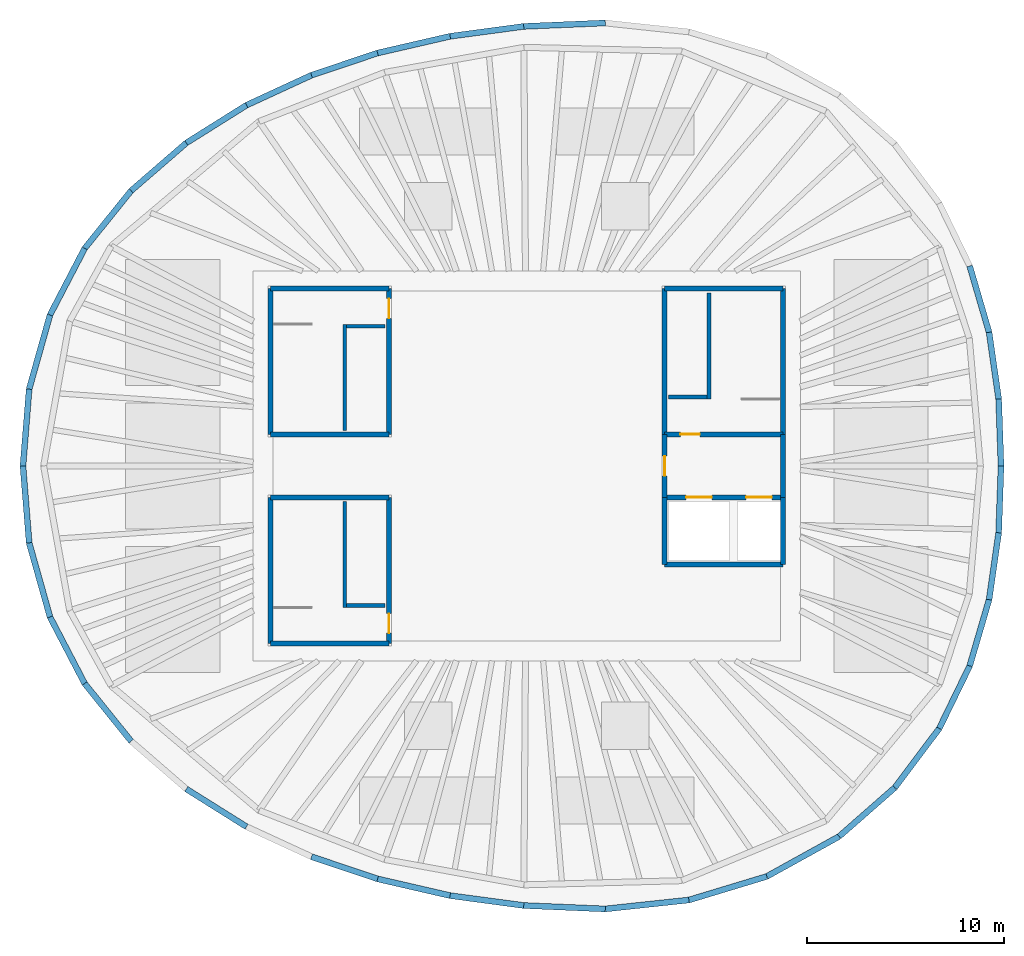
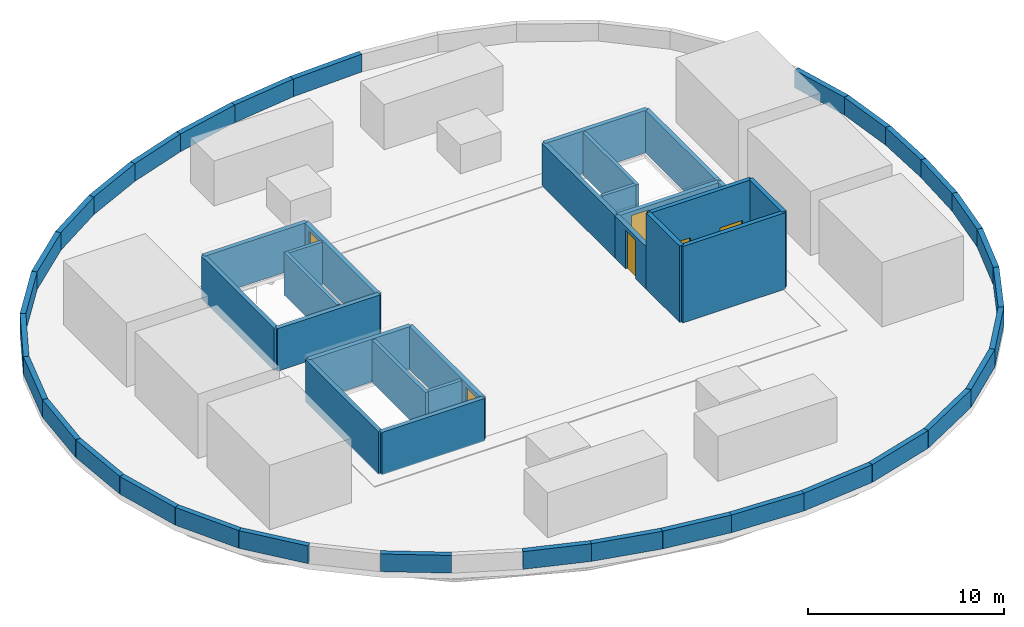
# One storey, part 3 of 6: 56 walls, 6 doors, 6 openings.
"""IFC4 building model written with IfcOpenShell, lengths in metres."""

from ifc_helpers import new_model, si_unit, direction, frame, frame_2d, origin, place, context, subcontext, project, spatial, rectangle, extrude, material, layer, layer_set, type_object, element, fill, save


model = new_model("IFC4")

# Units and contexts
model_context = context("Model", 3, precision=1e-05, world=origin(), true_north=direction((0.0, 1.0)))
body_context = subcontext(model_context, "Body", "Model", "MODEL_VIEW")
ifc_project = project(units=[si_unit("LENGTHUNIT", "METRE"), si_unit("AREAUNIT", "SQUARE_METRE"), si_unit("VOLUMEUNIT", "CUBIC_METRE"), si_unit("PLANEANGLEUNIT", "RADIAN"), si_unit("MASSUNIT", "GRAM", prefix="KILO")], contexts=[model_context])

# Site, building, storey
site_placement = place(None, origin())
site = spatial("IfcSite", under=ifc_project, at=site_placement, CompositionType="ELEMENT")
building_placement = place(site_placement, origin())
building = spatial("IfcBuilding", under=site, at=building_placement, Name="Ghaith Harvest Tower", CompositionType="ELEMENT")
storey_placement = place(building_placement, frame((0.0, 0.0, 349.199951171875)))
storey = spatial("IfcBuildingStorey", under=building, at=storey_placement, Name="RF", CompositionType="ELEMENT", Elevation=349.199951171875)

# Walls
ifc_material_1 = material(Name="Concrete C40/50", Category="concrete")
ifc_layer_1 = layer(ifc_material_1, 0.25)
ifc_layer_set_1 = layer_set([ifc_layer_1], Name="HEAD-HOUSE WALL RC250")
wall_type_1 = type_object("IfcWallType", Name="HEAD-HOUSE WALL RC250", PredefinedType="SOLIDWALL", material=ifc_layer_set_1)
wall_1_placement = place(storey_placement, frame((-7.0, 9.02490234375, 0.0), z_axis=(0.0, 0.0, 1.0), x_axis=(-1.0, 0.0, 0.0)))
element("IfcWall", 1, at=wall_1_placement, inside=storey, type_object=wall_type_1, Name="Stair ST1 head-house wall", PredefinedType="SOLIDWALL", context=body_context, shape_type="SweptSolid", body=[
    extrude(rectangle(XDim=6.02490234375, YDim=0.25, at=frame_2d((3.012451171875, 0.0))), origin(), (0.0, 0.0, 1.0), 2.650146484375),
])
wall_2_placement = place(storey_placement, frame((-13.02490234375, 9.02490234375, 0.0), z_axis=(0.0, 0.0, 1.0), x_axis=(0.0, -1.0, 0.0)))
element("IfcWall", 2, at=wall_2_placement, inside=storey, type_object=wall_type_1, Name="Stair ST1 head-house wall", PredefinedType="SOLIDWALL", context=body_context, shape_type="SweptSolid", body=[
    extrude(rectangle(XDim=7.4248046875, YDim=0.25, at=frame_2d((3.71240234375, 0.0))), origin(), (0.0, 0.0, 1.0), 2.650146484375),
])
wall_3_placement = place(storey_placement, frame((-13.02490234375, 1.60009765625, 0.0), z_axis=(0.0, 0.0, 1.0), x_axis=(1.0, 0.0, 0.0)))
element("IfcWall", 3, at=wall_3_placement, inside=storey, type_object=wall_type_1, Name="Stair ST1 head-house wall", PredefinedType="SOLIDWALL", context=body_context, shape_type="SweptSolid", body=[
    extrude(rectangle(XDim=6.02490234375, YDim=0.25, at=frame_2d((3.012451171875, 0.0))), origin(), (0.0, 0.0, 1.0), 2.650146484375),
])

# Wall, opening, door
wall_4_placement = place(storey_placement, frame((-7.0, 1.60009765625, 0.0), z_axis=(0.0, 0.0, 1.0), x_axis=(0.0, 1.0, 0.0)))
wall_4 = element("IfcWall", 4, at=wall_4_placement, inside=storey, type_object=wall_type_1, Name="Stair ST1 head-house wall", PredefinedType="SOLIDWALL", context=body_context, shape_type="SweptSolid", body=[
    extrude(rectangle(XDim=7.4248046875, YDim=0.25, at=frame_2d((3.71240234375, 0.0))), origin(), (0.0, 0.0, 1.0), 2.650146484375),
])
opening_1_placement = place(wall_4_placement, frame((5.89990234375, 0.0, 0.0)))
opening_1 = element("IfcOpeningElement", 5, at=opening_1_placement, cuts=wall_4, Name="Opening F-001", PredefinedType="OPENING", context=body_context, shape_type="SweptSolid", body=[
    extrude(rectangle(XDim=1.0, YDim=2.39990234375, at=frame_2d((0.5, 1.199951171875))), frame((0.0, 0.135009765625, 0.0), z_axis=(0.0, -1.0, 0.0), x_axis=(1.0, 0.0, 0.0)), (0.0, 0.0, 1.0), 0.27001953125),
])
ifc_material_2 = material(Name="Steel fire door", Category="steel")
door_type_1 = type_object("IfcDoorType", Name="D3 FD90 1000x2400", OperationType="SINGLE_SWING_LEFT", PredefinedType="DOOR", material=ifc_material_2)
door_1_placement = place(opening_1_placement, origin())
door_1 = element("IfcDoor", 6, at=door_1_placement, inside=storey, type_object=door_type_1, Name="Stair ST1 roof door", OperationType="SINGLE_SWING_RIGHT", OverallHeight=2.39990234375, OverallWidth=1.0, PredefinedType="DOOR", context=body_context, shape_type="SweptSolid", body=[
    extrude(rectangle(XDim=1.0, YDim=2.39990234375, at=frame_2d((0.5, 1.199951171875))), frame((0.0, 0.02490234375, 0.0), z_axis=(0.0, -1.0, 0.0), x_axis=(1.0, 0.0, 0.0)), (0.0, 0.0, 1.0), 0.050048828125),
])
fill(opening_1, door_1)

# Walls
wall_5_placement = place(storey_placement, frame((-7.0, -9.02490234375, 0.0), z_axis=(0.0, 0.0, 1.0), x_axis=(-1.0, 0.0, 0.0)))
element("IfcWall", 7, at=wall_5_placement, inside=storey, type_object=wall_type_1, Name="Stair ST3 head-house wall", PredefinedType="SOLIDWALL", context=body_context, shape_type="SweptSolid", body=[
    extrude(rectangle(XDim=6.02490234375, YDim=0.25, at=frame_2d((3.012451171875, 0.0))), origin(), (0.0, 0.0, 1.0), 2.650146484375),
])
wall_6_placement = place(storey_placement, frame((-13.02490234375, -9.02490234375, 0.0), z_axis=(0.0, 0.0, 1.0), x_axis=(0.0, 1.0, 0.0)))
element("IfcWall", 8, at=wall_6_placement, inside=storey, type_object=wall_type_1, Name="Stair ST3 head-house wall", PredefinedType="SOLIDWALL", context=body_context, shape_type="SweptSolid", body=[
    extrude(rectangle(XDim=7.4248046875, YDim=0.25, at=frame_2d((3.71240234375, 0.0))), origin(), (0.0, 0.0, 1.0), 2.650146484375),
])
wall_7_placement = place(storey_placement, frame((-13.02490234375, -1.60009765625, 0.0), z_axis=(0.0, 0.0, 1.0), x_axis=(1.0, 0.0, 0.0)))
element("IfcWall", 9, at=wall_7_placement, inside=storey, type_object=wall_type_1, Name="Stair ST3 head-house wall", PredefinedType="SOLIDWALL", context=body_context, shape_type="SweptSolid", body=[
    extrude(rectangle(XDim=6.02490234375, YDim=0.25, at=frame_2d((3.012451171875, 0.0))), origin(), (0.0, 0.0, 1.0), 2.650146484375),
])

# Wall, opening, door
wall_8_placement = place(storey_placement, frame((-7.0, -1.60009765625, 0.0), z_axis=(0.0, 0.0, 1.0), x_axis=(0.0, -1.0, 0.0)))
wall_8 = element("IfcWall", 10, at=wall_8_placement, inside=storey, type_object=wall_type_1, Name="Stair ST3 head-house wall", PredefinedType="SOLIDWALL", context=body_context, shape_type="SweptSolid", body=[
    extrude(rectangle(XDim=7.4248046875, YDim=0.25, at=frame_2d((3.71240234375, 0.0))), origin(), (0.0, 0.0, 1.0), 2.650146484375),
])
opening_2_placement = place(wall_8_placement, frame((5.89990234375, 0.0, 0.0)))
opening_2 = element("IfcOpeningElement", 11, at=opening_2_placement, cuts=wall_8, Name="Opening F-002", PredefinedType="OPENING", context=body_context, shape_type="SweptSolid", body=[
    extrude(rectangle(XDim=1.0, YDim=2.39990234375, at=frame_2d((0.5, 1.199951171875))), frame((0.0, 0.135009765625, 0.0), z_axis=(0.0, -1.0, 0.0), x_axis=(1.0, 0.0, 0.0)), (0.0, 0.0, 1.0), 0.27001953125),
])
door_2_placement = place(opening_2_placement, origin())
door_2 = element("IfcDoor", 12, at=door_2_placement, inside=storey, type_object=door_type_1, Name="Stair ST3 roof door", OperationType="SINGLE_SWING_RIGHT", OverallHeight=2.39990234375, OverallWidth=1.0, PredefinedType="DOOR", context=body_context, shape_type="SweptSolid", body=[
    extrude(rectangle(XDim=1.0, YDim=2.39990234375, at=frame_2d((0.5, 1.199951171875))), frame((0.0, 0.02490234375, 0.0), z_axis=(0.0, -1.0, 0.0), x_axis=(1.0, 0.0, 0.0)), (0.0, 0.0, 1.0), 0.050048828125),
])
fill(opening_2, door_2)

wall_9_placement = place(storey_placement, frame((7.0, 1.60009765625, 0.0), z_axis=(0.0, 0.0, 1.0), x_axis=(1.0, 0.0, 0.0)))
wall_9 = element("IfcWall", 13, at=wall_9_placement, inside=storey, type_object=wall_type_1, Name="Stair ST2 head-house wall", PredefinedType="SOLIDWALL", context=body_context, shape_type="SweptSolid", body=[
    extrude(rectangle(XDim=6.02490234375, YDim=0.25, at=frame_2d((3.012451171875, 0.0))), origin(), (0.0, 0.0, 1.0), 2.650146484375),
])
opening_3_placement = place(wall_9_placement, frame((0.800048828125, 0.0, 0.0)))
opening_3 = element("IfcOpeningElement", 14, at=opening_3_placement, cuts=wall_9, Name="Opening F-003", PredefinedType="OPENING", context=body_context, shape_type="SweptSolid", body=[
    extrude(rectangle(XDim=1.0, YDim=2.39990234375, at=frame_2d((0.5, 1.199951171875))), frame((0.0, 0.135009765625, 0.0), z_axis=(0.0, -1.0, 0.0), x_axis=(1.0, 0.0, 0.0)), (0.0, 0.0, 1.0), 0.27001953125),
])
door_3_placement = place(opening_3_placement, origin())
door_3 = element("IfcDoor", 15, at=door_3_placement, inside=storey, type_object=door_type_1, Name="Stair ST2 roof door", OperationType="SINGLE_SWING_LEFT", OverallHeight=2.39990234375, OverallWidth=1.0, PredefinedType="DOOR", context=body_context, shape_type="SweptSolid", body=[
    extrude(rectangle(XDim=1.0, YDim=2.39990234375, at=frame_2d((0.5, 1.199951171875))), frame((0.0, 0.02490234375, 0.0), z_axis=(0.0, -1.0, 0.0), x_axis=(1.0, 0.0, 0.0)), (0.0, 0.0, 1.0), 0.050048828125),
])
fill(opening_3, door_3)

# Walls
wall_10_placement = place(storey_placement, frame((13.02490234375, 1.60009765625, 0.0), z_axis=(0.0, 0.0, 1.0), x_axis=(0.0, 1.0, 0.0)))
element("IfcWall", 16, at=wall_10_placement, inside=storey, type_object=wall_type_1, Name="Stair ST2 head-house wall", PredefinedType="SOLIDWALL", context=body_context, shape_type="SweptSolid", body=[
    extrude(rectangle(XDim=7.4248046875, YDim=0.25, at=frame_2d((3.71240234375, 0.0))), origin(), (0.0, 0.0, 1.0), 2.650146484375),
])
wall_11_placement = place(storey_placement, frame((13.02490234375, 9.02490234375, 0.0), z_axis=(0.0, 0.0, 1.0), x_axis=(-1.0, 0.0, 0.0)))
element("IfcWall", 17, at=wall_11_placement, inside=storey, type_object=wall_type_1, Name="Stair ST2 head-house wall", PredefinedType="SOLIDWALL", context=body_context, shape_type="SweptSolid", body=[
    extrude(rectangle(XDim=6.02490234375, YDim=0.25, at=frame_2d((3.012451171875, 0.0))), origin(), (0.0, 0.0, 1.0), 2.650146484375),
])
wall_12_placement = place(storey_placement, frame((7.0, 9.02490234375, 0.0), z_axis=(0.0, 0.0, 1.0), x_axis=(0.0, -1.0, 0.0)))
element("IfcWall", 18, at=wall_12_placement, inside=storey, type_object=wall_type_1, Name="Stair ST2 head-house wall", PredefinedType="SOLIDWALL", context=body_context, shape_type="SweptSolid", body=[
    extrude(rectangle(XDim=7.4248046875, YDim=0.25, at=frame_2d((3.71240234375, 0.0))), origin(), (0.0, 0.0, 1.0), 2.650146484375),
])

# Wall, opening, door
wall_13_placement = place(storey_placement, frame((7.0, 1.60009765625, 0.0), z_axis=(0.0, 0.0, 1.0), x_axis=(0.0, -1.0, 0.0)))
wall_13 = element("IfcWall", 19, at=wall_13_placement, inside=storey, type_object=wall_type_1, Name="Roof firefighting lobby lobby wall, west", PredefinedType="SOLIDWALL", context=body_context, shape_type="SweptSolid", body=[
    extrude(rectangle(XDim=3.2001953125, YDim=0.25, at=frame_2d((1.60009765625, 0.0))), origin(), (0.0, 0.0, 1.0), 2.650146484375),
])
opening_4_placement = place(wall_13_placement, frame((1.10009765625, 0.0, 0.0)))
opening_4 = element("IfcOpeningElement", 20, at=opening_4_placement, cuts=wall_13, Name="Opening F-004", PredefinedType="OPENING", context=body_context, shape_type="SweptSolid", body=[
    extrude(rectangle(XDim=1.0, YDim=2.39990234375, at=frame_2d((0.5, 1.199951171875))), frame((0.0, 0.135009765625, 0.0), z_axis=(0.0, -1.0, 0.0), x_axis=(1.0, 0.0, 0.0)), (0.0, 0.0, 1.0), 0.27001953125),
])
door_4_placement = place(opening_4_placement, origin())
door_4 = element("IfcDoor", 21, at=door_4_placement, inside=storey, type_object=door_type_1, Name="Roof firefighting lobby door", OperationType="SINGLE_SWING_LEFT", OverallHeight=2.39990234375, OverallWidth=1.0, PredefinedType="DOOR", context=body_context, shape_type="SweptSolid", body=[
    extrude(rectangle(XDim=1.0, YDim=2.39990234375, at=frame_2d((0.5, 1.199951171875))), frame((0.0, 0.02490234375, 0.0), z_axis=(0.0, -1.0, 0.0), x_axis=(1.0, 0.0, 0.0)), (0.0, 0.0, 1.0), 0.050048828125),
])
fill(opening_4, door_4)

# Wall
wall_14_placement = place(storey_placement, frame((13.02490234375, -1.60009765625, 0.0), z_axis=(0.0, 0.0, 1.0), x_axis=(0.0, 1.0, 0.0)))
element("IfcWall", 22, at=wall_14_placement, inside=storey, type_object=wall_type_1, Name="Roof firefighting lobby lobby wall, east", PredefinedType="SOLIDWALL", context=body_context, shape_type="SweptSolid", body=[
    extrude(rectangle(XDim=3.2001953125, YDim=0.25, at=frame_2d((1.60009765625, 0.0))), origin(), (0.0, 0.0, 1.0), 2.650146484375),
])

# Wall, openings, doors
ifc_material_3 = material(Name="Concrete C40/50", Category="concrete")
ifc_layer_2 = layer(ifc_material_3, 0.25)
ifc_layer_set_2 = layer_set([ifc_layer_2], Name="LIFT OVERRUN WALL RC250")
wall_type_2 = type_object("IfcWallType", Name="LIFT OVERRUN WALL RC250", PredefinedType="SOLIDWALL", material=ifc_layer_set_2)
wall_15_placement = place(storey_placement, frame((7.0, -1.60009765625, 0.0), z_axis=(0.0, 0.0, 1.0), x_axis=(1.0, 0.0, 0.0)))
wall_15 = element("IfcWall", 23, at=wall_15_placement, inside=storey, type_object=wall_type_2, Name="Roof firefighting lobby lift front wall", PredefinedType="SOLIDWALL", context=body_context, shape_type="SweptSolid", body=[
    extrude(rectangle(XDim=6.02490234375, YDim=0.25, at=frame_2d((3.012451171875, 0.0))), origin(), (0.0, 0.0, 1.0), 4.75),
])
opening_5_placement = place(wall_15_placement, frame((1.10009765625, 0.0, 0.0)))
opening_5 = element("IfcOpeningElement", 24, at=opening_5_placement, cuts=wall_15, Name="Opening F-005", PredefinedType="OPENING", context=body_context, shape_type="SweptSolid", body=[
    extrude(rectangle(XDim=1.300048828125, YDim=2.39990234375, at=frame_2d((0.64990234375, 1.199951171875))), frame((0.0, 0.135009765625, 0.0), z_axis=(0.0, -1.0, 0.0), x_axis=(1.0, 0.0, 0.0)), (0.0, 0.0, 1.0), 0.27001953125),
])
opening_6_placement = place(wall_15_placement, frame((4.14990234375, 0.0, 0.0)))
opening_6 = element("IfcOpeningElement", 25, at=opening_6_placement, cuts=wall_15, Name="Opening F-006", PredefinedType="OPENING", context=body_context, shape_type="SweptSolid", body=[
    extrude(rectangle(XDim=1.300048828125, YDim=2.39990234375, at=frame_2d((0.64990234375, 1.199951171875))), frame((0.0, 0.135009765625, 0.0), z_axis=(0.0, -1.0, 0.0), x_axis=(1.0, 0.0, 0.0)), (0.0, 0.0, 1.0), 0.27001953125),
])
ifc_material_4 = material(Name="Steel fire door", Category="steel")
door_type_2 = type_object("IfcDoorType", Name="LD2 LANDING 1300x2400", OperationType="DOUBLE_DOOR_SLIDING", PredefinedType="DOOR", material=ifc_material_4)
door_5_placement = place(opening_5_placement, origin())
door_5 = element("IfcDoor", 26, at=door_5_placement, inside=storey, type_object=door_type_2, Name="Landing door, fire service lift FL1", OperationType="DOUBLE_DOOR_SLIDING", OverallHeight=2.39990234375, OverallWidth=1.300048828125, PredefinedType="DOOR", context=body_context, shape_type="SweptSolid", body=[
    extrude(rectangle(XDim=1.300048828125, YDim=2.39990234375, at=frame_2d((0.64990234375, 1.199951171875))), frame((0.0, 0.02490234375, 0.0), z_axis=(0.0, -1.0, 0.0), x_axis=(1.0, 0.0, 0.0)), (0.0, 0.0, 1.0), 0.050048828125),
])
fill(opening_5, door_5)
door_6_placement = place(opening_6_placement, origin())
door_6 = element("IfcDoor", 27, at=door_6_placement, inside=storey, type_object=door_type_2, Name="Landing door, fire service lift FL2", OperationType="DOUBLE_DOOR_SLIDING", OverallHeight=2.39990234375, OverallWidth=1.300048828125, PredefinedType="DOOR", context=body_context, shape_type="SweptSolid", body=[
    extrude(rectangle(XDim=1.300048828125, YDim=2.39990234375, at=frame_2d((0.64990234375, 1.199951171875))), frame((0.0, 0.02490234375, 0.0), z_axis=(0.0, -1.0, 0.0), x_axis=(1.0, 0.0, 0.0)), (0.0, 0.0, 1.0), 0.050048828125),
])
fill(opening_6, door_6)

# Walls
for number, where, z_axis, x_axis, name in (
    (28, (7.0, -5.0, 0.0), (0.0, 0.0, 1.0), (0.0, 1.0, 0.0), "Roof firefighting lobby lift overrun wall, west"),
    (29, (13.02490234375, -1.60009765625, 0.0), (0.0, 0.0, 1.0), (0.0, -1.0, 0.0), "Roof firefighting lobby lift overrun wall, east"),
):
    element("IfcWall", number, at=place(storey_placement, frame(where, z_axis=z_axis, x_axis=x_axis)), inside=storey, type_object=wall_type_2, Name=name, PredefinedType="SOLIDWALL", context=body_context, shape_type="SweptSolid", body=[
        extrude(rectangle(XDim=3.39990234375, YDim=0.25, at=frame_2d((1.699951171875, 0.0))), origin(), (0.0, 0.0, 1.0), 4.75),
    ])
wall_16_placement = place(storey_placement, frame((13.02490234375, -5.0, 0.0), z_axis=(0.0, 0.0, 1.0), x_axis=(-1.0, 0.0, 0.0)))
element("IfcWall", 30, at=wall_16_placement, inside=storey, type_object=wall_type_2, Name="Roof firefighting lobby lift overrun wall, south", PredefinedType="SOLIDWALL", context=body_context, shape_type="SweptSolid", body=[
    extrude(rectangle(XDim=6.02490234375, YDim=0.25, at=frame_2d((3.012451171875, 0.0))), origin(), (0.0, 0.0, 1.0), 4.75),
])
ifc_material_5 = material(Name="Concrete C40/50", Category="concrete")
ifc_layer_3 = layer(ifc_material_5, 0.300048828125)
ifc_layer_set_3 = layer_set([ifc_layer_3], Name="PARAPET 300")
wall_type_3 = type_object("IfcWallType", Name="PARAPET 300", PredefinedType="PARAPET", material=ifc_layer_set_3)
wall_17_placement = place(storey_placement, frame((24.10009765625, 0.0, 0.0), z_axis=(0.0, 0.0, 1.0), x_axis=(-0.035204619797, 0.99938012525, 0.0)))
element("IfcWall", 31, at=wall_17_placement, inside=storey, type_object=wall_type_3, Name="Parapet 01.1 RF", PredefinedType="PARAPET", context=body_context, shape_type="SweptSolid", body=[
    extrude(rectangle(XDim=3.398193359375, YDim=0.300048828125, at=frame_2d((1.69921875, 0.0))), origin(), (0.0, 0.0, 1.0), 1.10009765625),
])
wall_18_placement = place(storey_placement, frame((23.98046875, 3.39599609375, 0.0), z_axis=(0.0, 0.0, 1.0), x_axis=(-0.141969562048, 0.989871023645, 0.0)))
element("IfcWall", 32, at=wall_18_placement, inside=storey, type_object=wall_type_3, Name="Parapet 01.2 RF", PredefinedType="PARAPET", context=body_context, shape_type="SweptSolid", body=[
    extrude(rectangle(XDim=3.428955078125, YDim=0.300048828125, at=frame_2d((1.71435546875, 0.0))), origin(), (0.0, 0.0, 1.0), 1.10009765625),
])
wall_19_placement = place(storey_placement, frame((23.49365234375, 6.790283203125, 0.0), z_axis=(0.0, 0.0, 1.0), x_axis=(-0.280637932393, 0.959813706353, 0.0)))
element("IfcWall", 33, at=wall_19_placement, inside=storey, type_object=wall_type_3, Name="Parapet 02.1 RF", PredefinedType="PARAPET", context=body_context, shape_type="SweptSolid", body=[
    extrude(rectangle(XDim=3.511962890625, YDim=0.300048828125, at=frame_2d((1.755859375, 0.0))), origin(), (0.0, 0.0, 1.0), 1.10009765625),
])
wall_20_placement = place(storey_placement, frame((3.990478515625, 22.5107421875, 0.0), z_axis=(0.0, 0.0, 1.0), x_axis=(-0.999111204426, -0.042152119638, 0.0)))
element("IfcWall", 34, at=wall_20_placement, inside=storey, type_object=wall_type_3, Name="Parapet 05.2 RF", PredefinedType="PARAPET", context=body_context, shape_type="SweptSolid", body=[
    extrude(rectangle(XDim=4.14697265625, YDim=0.300048828125, at=frame_2d((2.073486328125, 0.0))), origin(), (0.0, 0.0, 1.0), 1.10009765625),
])
wall_21_placement = place(storey_placement, frame((-0.15283203125, 22.3359375, 0.0), z_axis=(0.0, 0.0, 1.0), x_axis=(-0.991099379679, -0.133124075959, 0.0)))
element("IfcWall", 35, at=wall_21_placement, inside=storey, type_object=wall_type_3, Name="Parapet 06.1 RF", PredefinedType="PARAPET", context=body_context, shape_type="SweptSolid", body=[
    extrude(rectangle(XDim=3.77978515625, YDim=0.300048828125, at=frame_2d((1.889892578125, 0.0))), origin(), (0.0, 0.0, 1.0), 1.10009765625),
])
wall_22_placement = place(storey_placement, frame((-3.89892578125, 21.832763671875, 0.0), z_axis=(0.0, 0.0, 1.0), x_axis=(-0.974442377126, -0.224637605182, 0.0)))
element("IfcWall", 36, at=wall_22_placement, inside=storey, type_object=wall_type_3, Name="Parapet 06.2 RF", PredefinedType="PARAPET", context=body_context, shape_type="SweptSolid", body=[
    extrude(rectangle(XDim=3.776611328125, YDim=0.300048828125, at=frame_2d((1.88818359375, 0.0))), origin(), (0.0, 0.0, 1.0), 1.10009765625),
])
wall_23_placement = place(storey_placement, frame((-7.5791015625, 20.984375, 0.0), z_axis=(0.0, 0.0, 1.0), x_axis=(-0.947957182756, -0.318397832376, 0.0)))
element("IfcWall", 37, at=wall_23_placement, inside=storey, type_object=wall_type_3, Name="Parapet 07.1 RF", PredefinedType="PARAPET", context=body_context, shape_type="SweptSolid", body=[
    extrude(rectangle(XDim=3.54248046875, YDim=0.300048828125, at=frame_2d((1.771240234375, 0.0))), origin(), (0.0, 0.0, 1.0), 1.10009765625),
])
wall_24_placement = place(storey_placement, frame((-10.937255859375, 19.8564453125, 0.0), z_axis=(0.0, 0.0, 1.0), x_axis=(-0.908171520016, -0.41859824442, 0.0)))
element("IfcWall", 38, at=wall_24_placement, inside=storey, type_object=wall_type_3, Name="Parapet 07.2 RF", PredefinedType="PARAPET", context=body_context, shape_type="SweptSolid", body=[
    extrude(rectangle(XDim=3.635986328125, YDim=0.300048828125, at=frame_2d((1.81787109375, 0.0))), origin(), (0.0, 0.0, 1.0), 1.10009765625),
])
wall_25_placement = place(storey_placement, frame((-14.2392578125, 18.33447265625, 0.0), z_axis=(0.0, 0.0, 1.0), x_axis=(-0.847100887914, -0.531432108265, 0.0)))
element("IfcWall", 39, at=wall_25_placement, inside=storey, type_object=wall_type_3, Name="Parapet 08.1 RF", PredefinedType="PARAPET", context=body_context, shape_type="SweptSolid", body=[
    extrude(rectangle(XDim=3.61181640625, YDim=0.300048828125, at=frame_2d((1.805908203125, 0.0))), origin(), (0.0, 0.0, 1.0), 1.10009765625),
])
wall_26_placement = place(storey_placement, frame((-17.298828125, 16.4150390625, 0.0), z_axis=(0.0, 0.0, 1.0), x_axis=(-0.756036495661, -0.65452946246, 0.0)))
element("IfcWall", 40, at=wall_26_placement, inside=storey, type_object=wall_type_3, Name="Parapet 08.2 RF", PredefinedType="PARAPET", context=body_context, shape_type="SweptSolid", body=[
    extrude(rectangle(XDim=3.708740234375, YDim=0.300048828125, at=frame_2d((1.8544921875, 0.0))), origin(), (0.0, 0.0, 1.0), 1.10009765625),
])
wall_27_placement = place(storey_placement, frame((-20.102783203125, 13.987548828125, 0.0), z_axis=(0.0, 0.0, 1.0), x_axis=(-0.627475974829, -0.778635923274, 0.0)))
element("IfcWall", 41, at=wall_27_placement, inside=storey, type_object=wall_type_3, Name="Parapet 09.1 RF", PredefinedType="PARAPET", context=body_context, shape_type="SweptSolid", body=[
    extrude(rectangle(XDim=3.76318359375, YDim=0.300048828125, at=frame_2d((1.881591796875, 0.0))), origin(), (0.0, 0.0, 1.0), 1.10009765625),
])
wall_28_placement = place(storey_placement, frame((-22.464111328125, 11.057373046875, 0.0), z_axis=(0.0, 0.0, 1.0), x_axis=(-0.462114970373, -0.886820023543, 0.0)))
element("IfcWall", 42, at=wall_28_placement, inside=storey, type_object=wall_type_3, Name="Parapet 09.2 RF", PredefinedType="PARAPET", context=body_context, shape_type="SweptSolid", body=[
    extrude(rectangle(XDim=3.811279296875, YDim=0.300048828125, at=frame_2d((1.90576171875, 0.0))), origin(), (0.0, 0.0, 1.0), 1.10009765625),
])
wall_29_placement = place(storey_placement, frame((-24.225341796875, 7.677490234375, 0.0), z_axis=(0.0, 0.0, 1.0), x_axis=(-0.270796170487, -0.962636709278, 0.0)))
element("IfcWall", 43, at=wall_29_placement, inside=storey, type_object=wall_type_3, Name="Parapet 10.1 RF", PredefinedType="PARAPET", context=body_context, shape_type="SweptSolid", body=[
    extrude(rectangle(XDim=3.912841796875, YDim=0.300048828125, at=frame_2d((1.95654296875, 0.0))), origin(), (0.0, 0.0, 1.0), 1.10009765625),
])
for number, where, z_axis, x_axis, name in (
    (44, (-25.284912109375, 3.910888671875, 0.0), (0.0, 0.0, 1.0), (-0.080331341923, -0.996768215537, 0.0), "Parapet 10.2 RF"),
    (45, (-25.60009765625, 0.0, 0.0), (0.0, 0.0, 1.0), (0.080331341923, -0.996768215537, 0.0), "Parapet 11.1 RF"),
):
    element("IfcWall", number, at=place(storey_placement, frame(where, z_axis=z_axis, x_axis=x_axis)), inside=storey, type_object=wall_type_3, Name=name, PredefinedType="PARAPET", context=body_context, shape_type="SweptSolid", body=[
        extrude(rectangle(XDim=3.923583984375, YDim=0.300048828125, at=frame_2d((1.9619140625, 0.0))), origin(), (0.0, 0.0, 1.0), 1.10009765625),
    ])
wall_30_placement = place(storey_placement, frame((-25.284912109375, -3.910888671875, 0.0), z_axis=(0.0, 0.0, 1.0), x_axis=(0.270796170487, -0.962636709278, 0.0)))
element("IfcWall", 46, at=wall_30_placement, inside=storey, type_object=wall_type_3, Name="Parapet 11.2 RF", PredefinedType="PARAPET", context=body_context, shape_type="SweptSolid", body=[
    extrude(rectangle(XDim=3.912841796875, YDim=0.300048828125, at=frame_2d((1.95654296875, 0.0))), origin(), (0.0, 0.0, 1.0), 1.10009765625),
])
wall_31_placement = place(storey_placement, frame((-24.225341796875, -7.677490234375, 0.0), z_axis=(0.0, 0.0, 1.0), x_axis=(0.462114970373, -0.886820023543, 0.0)))
element("IfcWall", 47, at=wall_31_placement, inside=storey, type_object=wall_type_3, Name="Parapet 12.1 RF", PredefinedType="PARAPET", context=body_context, shape_type="SweptSolid", body=[
    extrude(rectangle(XDim=3.811279296875, YDim=0.300048828125, at=frame_2d((1.90576171875, 0.0))), origin(), (0.0, 0.0, 1.0), 1.10009765625),
])
wall_32_placement = place(storey_placement, frame((-22.464111328125, -11.057373046875, 0.0), z_axis=(0.0, 0.0, 1.0), x_axis=(0.627475974829, -0.778635923274, 0.0)))
element("IfcWall", 48, at=wall_32_placement, inside=storey, type_object=wall_type_3, Name="Parapet 12.2 RF", PredefinedType="PARAPET", context=body_context, shape_type="SweptSolid", body=[
    extrude(rectangle(XDim=3.76318359375, YDim=0.300048828125, at=frame_2d((1.881591796875, 0.0))), origin(), (0.0, 0.0, 1.0), 1.10009765625),
])
wall_33_placement = place(storey_placement, frame((-17.298828125, -16.4150390625, 0.0), z_axis=(0.0, 0.0, 1.0), x_axis=(0.847100887914, -0.531432108265, 0.0)))
element("IfcWall", 49, at=wall_33_placement, inside=storey, type_object=wall_type_3, Name="Parapet 13.2 RF", PredefinedType="PARAPET", context=body_context, shape_type="SweptSolid", body=[
    extrude(rectangle(XDim=3.61181640625, YDim=0.300048828125, at=frame_2d((1.805908203125, 0.0))), origin(), (0.0, 0.0, 1.0), 1.10009765625),
])
wall_34_placement = place(storey_placement, frame((-10.937255859375, -19.8564453125, 0.0), z_axis=(0.0, 0.0, 1.0), x_axis=(0.947957182756, -0.318397832376, 0.0)))
element("IfcWall", 50, at=wall_34_placement, inside=storey, type_object=wall_type_3, Name="Parapet 14.2 RF", PredefinedType="PARAPET", context=body_context, shape_type="SweptSolid", body=[
    extrude(rectangle(XDim=3.54248046875, YDim=0.300048828125, at=frame_2d((1.771240234375, 0.0))), origin(), (0.0, 0.0, 1.0), 1.10009765625),
])
wall_35_placement = place(storey_placement, frame((-7.5791015625, -20.984375, 0.0), z_axis=(0.0, 0.0, 1.0), x_axis=(0.974442377126, -0.224637605182, 0.0)))
element("IfcWall", 51, at=wall_35_placement, inside=storey, type_object=wall_type_3, Name="Parapet 15.1 RF", PredefinedType="PARAPET", context=body_context, shape_type="SweptSolid", body=[
    extrude(rectangle(XDim=3.776611328125, YDim=0.300048828125, at=frame_2d((1.88818359375, 0.0))), origin(), (0.0, 0.0, 1.0), 1.10009765625),
])
wall_36_placement = place(storey_placement, frame((-3.89892578125, -21.832763671875, 0.0), z_axis=(0.0, 0.0, 1.0), x_axis=(0.991099379679, -0.133124075959, 0.0)))
element("IfcWall", 52, at=wall_36_placement, inside=storey, type_object=wall_type_3, Name="Parapet 15.2 RF", PredefinedType="PARAPET", context=body_context, shape_type="SweptSolid", body=[
    extrude(rectangle(XDim=3.77978515625, YDim=0.300048828125, at=frame_2d((1.889892578125, 0.0))), origin(), (0.0, 0.0, 1.0), 1.10009765625),
])
wall_37_placement = place(storey_placement, frame((-0.15283203125, -22.3359375, 0.0), z_axis=(0.0, 0.0, 1.0), x_axis=(0.999111204426, -0.042152119638, 0.0)))
element("IfcWall", 53, at=wall_37_placement, inside=storey, type_object=wall_type_3, Name="Parapet 16.1 RF", PredefinedType="PARAPET", context=body_context, shape_type="SweptSolid", body=[
    extrude(rectangle(XDim=4.14697265625, YDim=0.300048828125, at=frame_2d((2.073486328125, 0.0))), origin(), (0.0, 0.0, 1.0), 1.10009765625),
])
wall_38_placement = place(storey_placement, frame((3.990478515625, -22.5107421875, 0.0), z_axis=(0.0, 0.0, 1.0), x_axis=(0.994335025412, 0.10629137895, 0.0)))
element("IfcWall", 54, at=wall_38_placement, inside=storey, type_object=wall_type_3, Name="Parapet 16.2 RF", PredefinedType="PARAPET", context=body_context, shape_type="SweptSolid", body=[
    extrude(rectangle(XDim=4.279052734375, YDim=0.300048828125, at=frame_2d((2.1396484375, 0.0))), origin(), (0.0, 0.0, 1.0), 1.10009765625),
])
wall_39_placement = place(storey_placement, frame((8.245361328125, -22.055908203125, 0.0), z_axis=(0.0, 0.0, 1.0), x_axis=(0.957058205859, 0.289895827148, 0.0)))
element("IfcWall", 55, at=wall_39_placement, inside=storey, type_object=wall_type_3, Name="Parapet 17.1 RF", PredefinedType="PARAPET", context=body_context, shape_type="SweptSolid", body=[
    extrude(rectangle(XDim=4.1298828125, YDim=0.300048828125, at=frame_2d((2.06494140625, 0.0))), origin(), (0.0, 0.0, 1.0), 1.10009765625),
])
wall_40_placement = place(storey_placement, frame((12.197998046875, -20.858642578125, 0.0), z_axis=(0.0, 0.0, 1.0), x_axis=(0.875161256751, 0.48383134942, 0.0)))
element("IfcWall", 56, at=wall_40_placement, inside=storey, type_object=wall_type_3, Name="Parapet 17.2 RF", PredefinedType="PARAPET", context=body_context, shape_type="SweptSolid", body=[
    extrude(rectangle(XDim=4.201904296875, YDim=0.300048828125, at=frame_2d((2.10107421875, 0.0))), origin(), (0.0, 0.0, 1.0), 1.10009765625),
])
wall_41_placement = place(storey_placement, frame((15.875244140625, -18.82568359375, 0.0), z_axis=(0.0, 0.0, 1.0), x_axis=(0.751701995158, 0.659502926813, 0.0)))
element("IfcWall", 57, at=wall_41_placement, inside=storey, type_object=wall_type_3, Name="Parapet 18.1 RF", PredefinedType="PARAPET", context=body_context, shape_type="SweptSolid", body=[
    extrude(rectangle(XDim=3.7548828125, YDim=0.300048828125, at=frame_2d((1.87744140625, 0.0))), origin(), (0.0, 0.0, 1.0), 1.10009765625),
])
wall_42_placement = place(storey_placement, frame((18.69775390625, -16.349365234375, 0.0), z_axis=(0.0, 0.0, 1.0), x_axis=(0.601067914805, 0.799197949067, 0.0)))
element("IfcWall", 58, at=wall_42_placement, inside=storey, type_object=wall_type_3, Name="Parapet 18.2 RF", PredefinedType="PARAPET", context=body_context, shape_type="SweptSolid", body=[
    extrude(rectangle(XDim=3.765625, YDim=0.300048828125, at=frame_2d((1.8828125, 0.0))), origin(), (0.0, 0.0, 1.0), 1.10009765625),
])
wall_43_placement = place(storey_placement, frame((20.961181640625, -13.33984375, 0.0), z_axis=(0.0, 0.0, 1.0), x_axis=(0.437574386736, 0.899182215167, 0.0)))
element("IfcWall", 59, at=wall_43_placement, inside=storey, type_object=wall_type_3, Name="Parapet 19.1 RF", PredefinedType="PARAPET", context=body_context, shape_type="SweptSolid", body=[
    extrude(rectangle(XDim=3.53515625, YDim=0.300048828125, at=frame_2d((1.767578125, 0.0))), origin(), (0.0, 0.0, 1.0), 1.10009765625),
])
wall_44_placement = place(storey_placement, frame((22.508056640625, -10.1611328125, 0.0), z_axis=(0.0, 0.0, 1.0), x_axis=(0.280637932393, 0.959813706353, 0.0)))
element("IfcWall", 60, at=wall_44_placement, inside=storey, type_object=wall_type_3, Name="Parapet 19.2 RF", PredefinedType="PARAPET", context=body_context, shape_type="SweptSolid", body=[
    extrude(rectangle(XDim=3.511962890625, YDim=0.300048828125, at=frame_2d((1.755859375, 0.0))), origin(), (0.0, 0.0, 1.0), 1.10009765625),
])
wall_45_placement = place(storey_placement, frame((23.49365234375, -6.790283203125, 0.0), z_axis=(0.0, 0.0, 1.0), x_axis=(0.141969562048, 0.989871023645, 0.0)))
element("IfcWall", 61, at=wall_45_placement, inside=storey, type_object=wall_type_3, Name="Parapet 20.1 RF", PredefinedType="PARAPET", context=body_context, shape_type="SweptSolid", body=[
    extrude(rectangle(XDim=3.428955078125, YDim=0.300048828125, at=frame_2d((1.71435546875, 0.0))), origin(), (0.0, 0.0, 1.0), 1.10009765625),
])
wall_46_placement = place(storey_placement, frame((23.98046875, -3.39599609375, 0.0), z_axis=(0.0, 0.0, 1.0), x_axis=(0.035204619797, 0.99938012525, 0.0)))
element("IfcWall", 62, at=wall_46_placement, inside=storey, type_object=wall_type_3, Name="Parapet 20.2 RF", PredefinedType="PARAPET", context=body_context, shape_type="SweptSolid", body=[
    extrude(rectangle(XDim=3.398193359375, YDim=0.300048828125, at=frame_2d((1.69921875, 0.0))), origin(), (0.0, 0.0, 1.0), 1.10009765625),
])
ifc_material_6 = material(Name="Concrete C40/50", Category="concrete")
ifc_layer_4 = layer(ifc_material_6, 0.199951171875)
ifc_layer_set_4 = layer_set([ifc_layer_4], Name="STAIR SPINE WALL RC200")
wall_type_4 = type_object("IfcWallType", Name="STAIR SPINE WALL RC200", PredefinedType="SOLIDWALL", material=ifc_layer_set_4)
wall_47_placement = place(storey_placement, frame((-9.25, 7.199951171875, 0.0), z_axis=(0.0, 0.0, 1.0), x_axis=(0.0, -1.0, 0.0)))
element("IfcWall", 63, at=wall_47_placement, inside=storey, type_object=wall_type_4, Name="Stair ST1 spine wall RF", PredefinedType="SOLIDWALL", context=body_context, shape_type="SweptSolid", body=[
    extrude(rectangle(XDim=5.39990234375, YDim=0.199951171875, at=frame_2d((2.699951171875, 0.0))), origin(), (0.0, 0.0, 1.0), 2.650146484375),
])
wall_48_placement = place(storey_placement, frame((-9.14990234375, 7.10009765625, 0.0), z_axis=(0.0, 0.0, 1.0), x_axis=(1.0, 0.0, 0.0)))
element("IfcWall", 64, at=wall_48_placement, inside=storey, type_object=wall_type_4, Name="Stair ST1 spine wall return RF", PredefinedType="SOLIDWALL", context=body_context, shape_type="SweptSolid", body=[
    extrude(rectangle(XDim=1.949951171875, YDim=0.199951171875, at=frame_2d((0.97509765625, 0.0))), origin(), (0.0, 0.0, 1.0), 2.650146484375),
])
wall_49_placement = place(storey_placement, frame((-9.25, -7.199951171875, 0.0), z_axis=(0.0, 0.0, 1.0), x_axis=(0.0, 1.0, 0.0)))
element("IfcWall", 65, at=wall_49_placement, inside=storey, type_object=wall_type_4, Name="Stair ST3 spine wall RF", PredefinedType="SOLIDWALL", context=body_context, shape_type="SweptSolid", body=[
    extrude(rectangle(XDim=5.39990234375, YDim=0.199951171875, at=frame_2d((2.699951171875, 0.0))), origin(), (0.0, 0.0, 1.0), 2.650146484375),
])
wall_50_placement = place(storey_placement, frame((-9.14990234375, -7.10009765625, 0.0), z_axis=(0.0, 0.0, 1.0), x_axis=(1.0, 0.0, 0.0)))
element("IfcWall", 66, at=wall_50_placement, inside=storey, type_object=wall_type_4, Name="Stair ST3 spine wall return RF", PredefinedType="SOLIDWALL", context=body_context, shape_type="SweptSolid", body=[
    extrude(rectangle(XDim=1.949951171875, YDim=0.199951171875, at=frame_2d((0.97509765625, 0.0))), origin(), (0.0, 0.0, 1.0), 2.650146484375),
])
wall_51_placement = place(storey_placement, frame((9.25, 3.39990234375, 0.0), z_axis=(0.0, 0.0, 1.0), x_axis=(0.0, 1.0, 0.0)))
element("IfcWall", 67, at=wall_51_placement, inside=storey, type_object=wall_type_4, Name="Stair ST2 spine wall RF", PredefinedType="SOLIDWALL", context=body_context, shape_type="SweptSolid", body=[
    extrude(rectangle(XDim=5.400146484375, YDim=0.199951171875, at=frame_2d((2.7001953125, 0.0))), origin(), (0.0, 0.0, 1.0), 2.650146484375),
])
wall_52_placement = place(storey_placement, frame((9.14990234375, 3.5, 0.0), z_axis=(0.0, 0.0, 1.0), x_axis=(-1.0, 0.0, 0.0)))
element("IfcWall", 68, at=wall_52_placement, inside=storey, type_object=wall_type_4, Name="Stair ST2 spine wall return RF", PredefinedType="SOLIDWALL", context=body_context, shape_type="SweptSolid", body=[
    extrude(rectangle(XDim=1.949951171875, YDim=0.199951171875, at=frame_2d((0.97509765625, 0.0))), origin(), (0.0, 0.0, 1.0), 2.650146484375),
])

save(model, "model.ifc")
